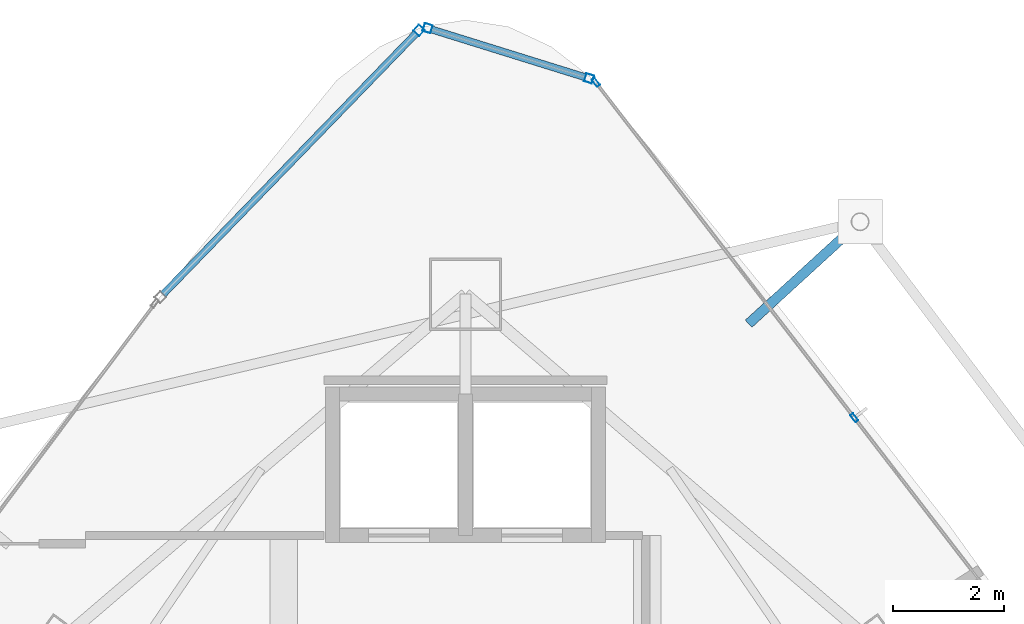
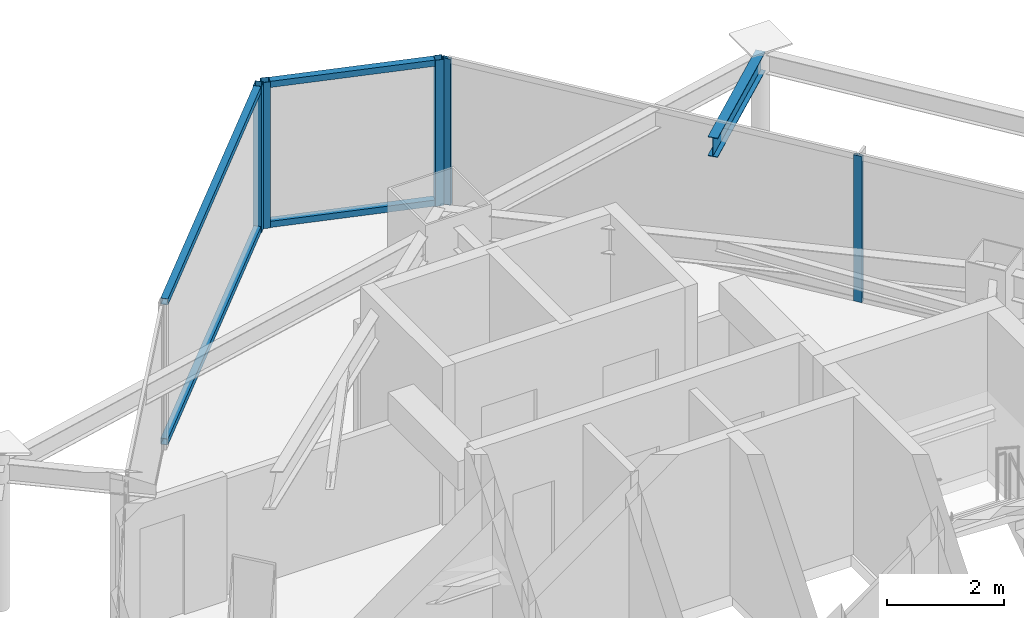
# One storey, part 25 of 33: 9 members, 1 beam, 3 elements without a shape of their own.
"""IFC4 building model written with IfcOpenShell, lengths in metres."""

from ifc_helpers import new_model, si_unit, direction, frame, origin, origin_2d, place, context, subcontext, project, spatial, hollow_rectangle, i_section, extrude, material, layer, layer_set, material_profile, profile_set, type_object, element, aggregate, save


model = new_model("IFC4")

# Units and contexts
model_context = context("Model", 3, precision=1e-05, world=origin(), true_north=direction((0.0, 1.0)))
body_context = subcontext(model_context, "Body", "Model", "MODEL_VIEW")
ifc_project = project(units=[si_unit("LENGTHUNIT", "METRE"), si_unit("AREAUNIT", "SQUARE_METRE"), si_unit("VOLUMEUNIT", "CUBIC_METRE"), si_unit("PLANEANGLEUNIT", "RADIAN"), si_unit("MASSUNIT", "GRAM", prefix="KILO")], contexts=[model_context])

# Site, building, storey
site_placement = place(None, origin())
site = spatial("IfcSite", under=ifc_project, at=site_placement, CompositionType="ELEMENT")
building_placement = place(site_placement, origin())
building = spatial("IfcBuilding", under=site, at=building_placement, Name="Orvanel Arch Residences", CompositionType="ELEMENT")
storey_placement = place(building_placement, frame((0.0, 0.0, 212.89990234375)))
storey = spatial("IfcBuildingStorey", under=building, at=storey_placement, Name="L60", CompositionType="ELEMENT", Elevation=212.89990234375)

# Curtain wall, members
ifc_material_1 = material(Name="Bronze-anodised aluminium AA6063-T6", Category="aluminium")
ifc_layer_1 = layer(ifc_material_1, 0.18994140625)
ifc_layer_set_1 = layer_set([ifc_layer_1], Name="Bronze-anodised aluminium AA6063-T6")
curtain_wall_type_1 = type_object("IfcCurtainWallType", Name="CW5-CRN-SYS", PredefinedType="NOTDEFINED", material=ifc_layer_set_1)
curtain_wall_1_placement = place(storey_placement, origin())
curtain_wall_1 = element("IfcCurtainWall", 1, at=curtain_wall_1_placement, inside=storey, type_object=curtain_wall_type_1, Name="L60 CW5-CRN-SYS Unitised Curtain Wall", PredefinedType="NOTDEFINED")
ifc_material_profile_1 = material_profile(ifc_material_1, hollow_rectangle(XDim=0.14990234375, YDim=0.14990234375, WallThickness=0.0048828125, at=origin_2d()), Name="ALU150x150x5")
ifc_profile_set_1 = profile_set([ifc_material_profile_1], Name="Bronze-anodised aluminium AA6063-T6")
member_type_1 = type_object("IfcMemberType", Name="MUL-150x150", PredefinedType="MULLION", material=ifc_profile_set_1)
member_1_placement = place(storey_placement, frame((35.227294921875, 45.287353515625, 0.0), z_axis=(0.0, 0.0, 1.0), x_axis=(-0.297117246401, -0.954841003461, 0.0)))
member_1 = element("IfcMember", 2, at=member_1_placement, type_object=member_type_1, Name="CW-S5 mullion 1", PredefinedType="MULLION", context=body_context, shape_type="SweptSolid", body=[
    extrude(hollow_rectangle(XDim=0.14990234375, YDim=0.14990234375, WallThickness=0.0048828125, at=origin_2d()), origin(), (0.0, 0.0, 1.0), 3.06005859375),
])
member_2_placement = place(storey_placement, frame((32.317626953125, 46.192626953125, 0.0), z_axis=(0.0, 0.0, 1.0), x_axis=(-0.297117246401, -0.954841003461, 0.0)))
member_2 = element("IfcMember", 3, at=member_2_placement, type_object=member_type_1, Name="CW-S5 mullion 2", PredefinedType="MULLION", context=body_context, shape_type="SweptSolid", body=[
    extrude(hollow_rectangle(XDim=0.14990234375, YDim=0.14990234375, WallThickness=0.0048828125, at=origin_2d()), origin(), (0.0, 0.0, 1.0), 3.06005859375),
])

# Curtain wall, member
curtain_wall_2_placement = place(storey_placement, origin())
curtain_wall_2 = element("IfcCurtainWall", 4, at=curtain_wall_2_placement, inside=storey, type_object=curtain_wall_type_1, Name="L60 CW5-CRN-SYS Unitised Curtain Wall", PredefinedType="NOTDEFINED")
member_3_placement = place(storey_placement, frame((32.160888671875, 46.153076171875, 0.0), z_axis=(0.0, 0.0, 1.0), x_axis=(0.718044101209, -0.695997606834, 0.0)))
member_3 = element("IfcMember", 5, at=member_3_placement, type_object=member_type_1, Name="CW-S5 mullion 1", PredefinedType="MULLION", context=body_context, shape_type="SweptSolid", body=[
    extrude(hollow_rectangle(XDim=0.14990234375, YDim=0.14990234375, WallThickness=0.0048828125, at=origin_2d()), origin(), (0.0, 0.0, 1.0), 3.06005859375),
])

# Curtain wall, members
ifc_layer_2 = layer(ifc_material_1, 0.175048828125)
ifc_layer_set_2 = layer_set([ifc_layer_2], Name="Bronze-anodised aluminium AA6063-T6")
curtain_wall_type_2 = type_object("IfcCurtainWallType", Name="CW4-HI-SYS", PredefinedType="NOTDEFINED", material=ifc_layer_set_2)
curtain_wall_3_placement = place(storey_placement, origin())
curtain_wall_3 = element("IfcCurtainWall", 6, at=curtain_wall_3_placement, inside=storey, type_object=curtain_wall_type_2, Name="L60 CW4-HI-SYS Unitised Curtain Wall", PredefinedType="NOTDEFINED")
ifc_material_profile_2 = material_profile(ifc_material_1, hollow_rectangle(XDim=0.06494140625, YDim=0.159912109375, WallThickness=0.00390625, at=origin_2d()), Name="ALU160x65x4")
ifc_profile_set_2 = profile_set([ifc_material_profile_2], Name="Bronze-anodised aluminium AA6063-T6")
member_type_2 = type_object("IfcMemberType", Name="MUL-160x65", PredefinedType="MULLION", material=ifc_profile_set_2)
member_4_placement = place(storey_placement, frame((40.007568359375, 39.172119140625, 0.0), z_axis=(0.0, 0.0, 1.0), x_axis=(-0.792150817266, -0.61032539084, 0.0)))
member_4 = element("IfcMember", 7, at=member_4_placement, type_object=member_type_2, Name="CW-S4 mullion 2", PredefinedType="MULLION", context=body_context, shape_type="SweptSolid", body=[
    extrude(hollow_rectangle(XDim=0.06494140625, YDim=0.159912109375, WallThickness=0.00390625, at=origin_2d()), origin(), (0.0, 0.0, 1.0), 3.06005859375),
])
member_5_placement = place(storey_placement, frame((35.349853515625, 45.21728515625, 0.0), z_axis=(0.0, 0.0, 1.0), x_axis=(-0.792150817266, -0.61032539084, 0.0)))
member_5 = element("IfcMember", 8, at=member_5_placement, type_object=member_type_2, Name="CW-S4 mullion 3", PredefinedType="MULLION", context=body_context, shape_type="SweptSolid", body=[
    extrude(hollow_rectangle(XDim=0.06494140625, YDim=0.159912109375, WallThickness=0.00390625, at=origin_2d()), origin(), (0.0, 0.0, 1.0), 3.06005859375),
])
aggregate(curtain_wall_3, [member_4, member_5])

# Beam
ifc_material_2 = material(Name="Structural steel AS/NZS 3679.1 Grade 300 (300 MPa)", Category="steel")
ifc_material_profile_3 = material_profile(ifc_material_2, i_section(OverallWidth=0.177978515625, OverallDepth=0.406005859375, WebThickness=0.0078125, FlangeThickness=0.0126953125, at=origin_2d()), Name="410UB59.7")
ifc_profile_set_3 = profile_set([ifc_material_profile_3], Name="Structural steel AS/NZS 3679.1 Grade 300 (300 MPa)")
beam_type = type_object("IfcBeamType", Name="OB-410UB-EXT", PredefinedType="SPANDREL", material=ifc_profile_set_3)
beam_placement = place(storey_placement, frame((38.10205078125, 40.865966796875, 2.857177734375), z_axis=(0.737953561408, 0.674851495668, 0.0), x_axis=(-0.674851495668, 0.737953561408, 0.0)))
element("IfcBeam", 9, at=beam_placement, inside=storey, type_object=beam_type, Name="L60 Outer Frame Radial Tie Beam 12", PredefinedType="SPANDREL", context=body_context, shape_type="SweptSolid", body=[
    extrude(i_section(OverallWidth=0.177978515625, OverallDepth=0.406005859375, WebThickness=0.0078125, FlangeThickness=0.0126953125, at=origin_2d()), origin(), (0.0, 0.0, 1.0), 2.723876953125),
])

# Member
ifc_material_profile_4 = material_profile(ifc_material_1, hollow_rectangle(XDim=0.1298828125, YDim=0.1298828125, WallThickness=0.00439453125, at=origin_2d()), Name="ALU130x130x4.5")
ifc_profile_set_4 = profile_set([ifc_material_profile_4], Name="Bronze-anodised aluminium AA6063-T6")
member_type_3 = type_object("IfcMemberType", Name="TRN-130x130", PredefinedType="USERDEFINED", material=ifc_profile_set_4)
member_6_placement = place(storey_placement, frame((35.15576171875, 45.3095703125, 0.065185546875), z_axis=(-0.954845090598, 0.297104111317, 0.0), x_axis=(-0.297104111317, -0.954845090598, 0.0)))
member_6 = element("IfcMember", 10, at=member_6_placement, type_object=member_type_3, Name="CW-S5 transom 1.1", ObjectType="TRANSOM", PredefinedType="USERDEFINED", context=body_context, shape_type="SweptSolid", body=[
    extrude(hollow_rectangle(XDim=0.1298828125, YDim=0.1298828125, WallThickness=0.00439453125, at=origin_2d()), origin(), (0.0, 0.0, 1.0), 2.8974609375),
])

member_7_placement = place(storey_placement, frame((35.15576171875, 45.3095703125, 2.9951171875), z_axis=(-0.954845090598, 0.297104111317, 0.0), x_axis=(-0.297104111317, -0.954845090598, 0.0)))
member_7 = element("IfcMember", 11, at=member_7_placement, type_object=member_type_3, Name="CW-S5 transom 1.2", ObjectType="TRANSOM", PredefinedType="USERDEFINED", context=body_context, shape_type="SweptSolid", body=[
    extrude(hollow_rectangle(XDim=0.1298828125, YDim=0.1298828125, WallThickness=0.00439453125, at=origin_2d()), origin(), (0.0, 0.0, 1.0), 2.8974609375),
])

aggregate(curtain_wall_1, [member_1, member_2, member_6, member_7])

member_8_placement = place(storey_placement, frame((32.108642578125, 46.099365234375, 0.065185546875), z_axis=(-0.696005516667, -0.718036434151, 0.0), x_axis=(0.718036434151, -0.696005516667, 0.0)))
member_8 = element("IfcMember", 12, at=member_8_placement, type_object=member_type_3, Name="CW-S5 transom 1.1", ObjectType="TRANSOM", PredefinedType="USERDEFINED", context=body_context, shape_type="SweptSolid", body=[
    extrude(hollow_rectangle(XDim=0.1298828125, YDim=0.1298828125, WallThickness=0.00439453125, at=origin_2d()), origin(), (0.0, 0.0, 1.0), 6.54931640625),
])

member_9_placement = place(storey_placement, frame((32.108642578125, 46.099365234375, 2.9951171875), z_axis=(-0.696005516667, -0.718036434151, 0.0), x_axis=(0.718036434151, -0.696005516667, 0.0)))
member_9 = element("IfcMember", 13, at=member_9_placement, type_object=member_type_3, Name="CW-S5 transom 1.2", ObjectType="TRANSOM", PredefinedType="USERDEFINED", context=body_context, shape_type="SweptSolid", body=[
    extrude(hollow_rectangle(XDim=0.1298828125, YDim=0.1298828125, WallThickness=0.00439453125, at=origin_2d()), origin(), (0.0, 0.0, 1.0), 6.54931640625),
])

aggregate(curtain_wall_2, [member_3, member_8, member_9])

save(model, "model.ifc")
